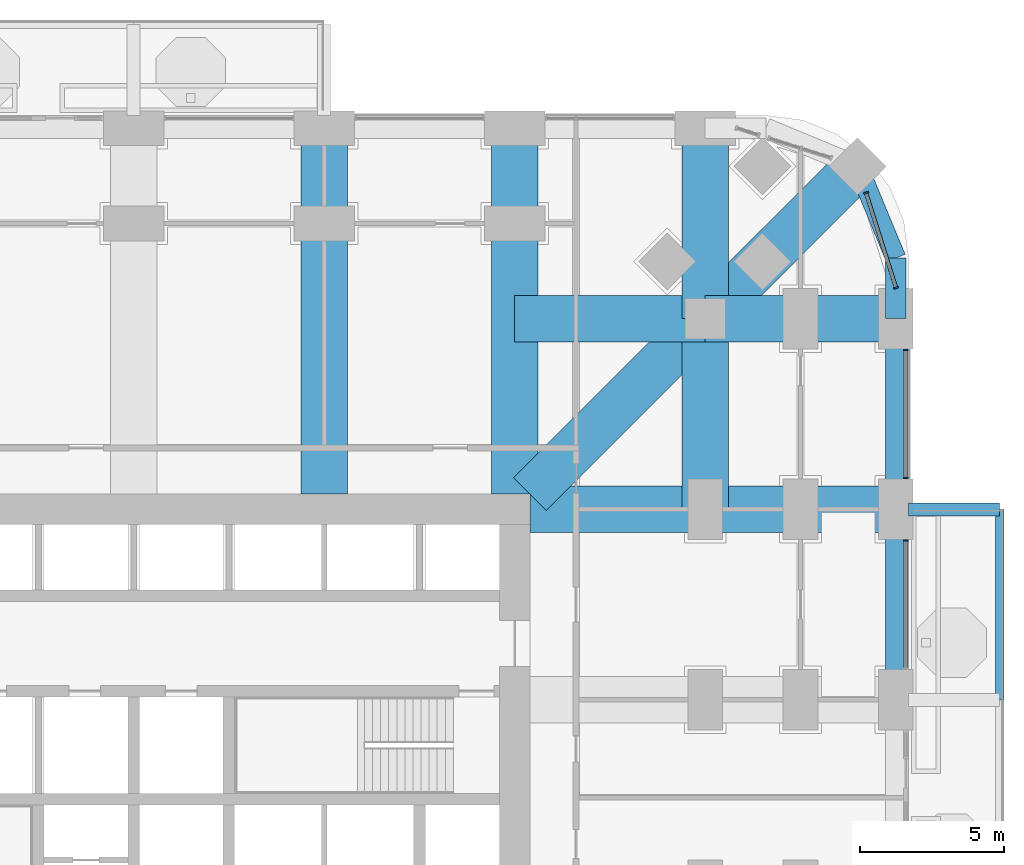
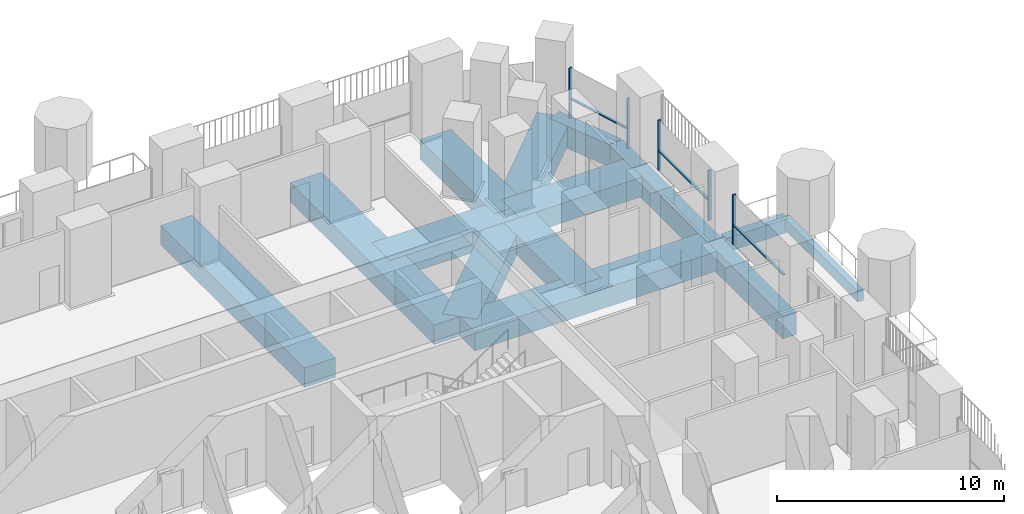
# One storey, part 8 of 26: 15 beams, 8 members, 3 elements without a shape of their own.
"""IFC4 building model written with IfcOpenShell, lengths in metres."""

from ifc_helpers import new_model, si_unit, direction, frame, origin, origin_2d, place, context, subcontext, project, spatial, rectangle, extrude, material, material_profile, profile_set, type_object, element, aggregate, save


model = new_model("IFC4")

# Units and contexts
model_context = context("Model", 3, precision=1e-05, world=origin(), true_north=direction((0.0, 1.0)))
body_context = subcontext(model_context, "Body", "Model", "MODEL_VIEW")
ifc_project = project(units=[si_unit("LENGTHUNIT", "METRE"), si_unit("AREAUNIT", "SQUARE_METRE"), si_unit("VOLUMEUNIT", "CUBIC_METRE"), si_unit("PLANEANGLEUNIT", "RADIAN"), si_unit("MASSUNIT", "GRAM", prefix="KILO")], contexts=[model_context])

# Site, building, storey
site_placement = place(None, origin())
site = spatial("IfcSite", under=ifc_project, at=site_placement, CompositionType="ELEMENT")
building_placement = place(site_placement, origin())
building = spatial("IfcBuilding", under=site, at=building_placement, Name="Cobogo Forest Laboratory Tower", CompositionType="ELEMENT")
storey_placement = place(building_placement, frame((0.0, 0.0, 59.10009765625)))
storey = spatial("IfcBuildingStorey", under=building, at=storey_placement, Name="L13", CompositionType="ELEMENT", Elevation=59.10009765625)

# Beams
ifc_material_1 = material(Name="Concrete HA-40 (C40/50)", Category="concrete")
ifc_material_profile_1 = material_profile(ifc_material_1, rectangle(XDim=0.449951171875, YDim=0.75, at=origin_2d()), Name="RC 450x750")
ifc_profile_set_1 = profile_set([ifc_material_profile_1], Name="Concrete HA-40 (C40/50)")
beam_type_1 = type_object("IfcBeamType", Name="Balcony cantilever beam 450x750", PredefinedType="BEAM", material=ifc_profile_set_1)
beam_1_placement = place(storey_placement, frame((53.25, 33.0, -0.625), z_axis=(1.0, 0.0, 0.0), x_axis=(0.0, 1.0, 0.0)))
element("IfcBeam", 1, at=beam_1_placement, inside=storey, type_object=beam_type_1, Name="CB1 BAL-E1-C3 L13", PredefinedType="BEAM", context=body_context, shape_type="SweptSolid", body=[
    extrude(rectangle(XDim=0.449951171875, YDim=0.75, at=origin_2d()), origin(), (0.0, 0.0, 1.0), 3.14990234375),
])
ifc_material_profile_2 = material_profile(ifc_material_1, rectangle(XDim=0.300048828125, YDim=0.60009765625, at=origin_2d()), Name="RC 300x600")
ifc_profile_set_2 = profile_set([ifc_material_profile_2], Name="Concrete HA-40 (C40/50)")
beam_type_2 = type_object("IfcBeamType", Name="Balcony edge beam 300x600", PredefinedType="BEAM", material=ifc_profile_set_2)
beam_2_placement = place(storey_placement, frame((56.39990234375, 26.39990234375, -0.550048828125), z_axis=(0.0, 1.0, 0.0), x_axis=(-1.0, 0.0, 0.0)))
element("IfcBeam", 2, at=beam_2_placement, inside=storey, type_object=beam_type_2, Name="BB1 BAL-E1-T2 L13", PredefinedType="BEAM", context=body_context, shape_type="SweptSolid", body=[
    extrude(rectangle(XDim=0.300048828125, YDim=0.60009765625, at=origin_2d()), origin(), (0.0, 0.0, 1.0), 6.60009765625),
])
ifc_material_2 = material(Name="Concrete HA-50 (C50/60)", Category="concrete")
ifc_material_profile_3 = material_profile(ifc_material_2, rectangle(XDim=1.60009765625, YDim=1.050048828125, at=origin_2d()), Name="RC 1600x1050")
ifc_profile_set_3 = profile_set([ifc_material_profile_3], Name="Concrete HA-50 (C50/60)")
beam_type_3 = type_object("IfcBeamType", Name="Laboratory floor wide beam 1600x1050", PredefinedType="BEAM", material=ifc_profile_set_3)
for number, where, z_axis, x_axis, name in (
    (3, (33.0, 33.52490234375, -0.8251953125), (0.0, 1.0, 0.0), (-1.0, 0.0, 0.0), "RB8 R-6-N L13"),
    (4, (39.60009765625, 33.52490234375, -0.8251953125), (0.0, 1.0, 0.0), (-1.0, 0.0, 0.0), "RB8 R-7-N L13"),
    (5, (40.125, 33.0, -0.8251953125), (1.0, 0.0, 0.0), (0.0, 1.0, 0.0), "RB8 R-F-E L13"),
):
    element("IfcBeam", number, at=place(storey_placement, frame(where, z_axis=z_axis, x_axis=x_axis)), inside=storey, type_object=beam_type_3, Name=name, PredefinedType="BEAM", context=body_context, shape_type="SweptSolid", body=[
        extrude(rectangle(XDim=1.60009765625, YDim=1.050048828125, at=origin_2d()), origin(), (0.0, 0.0, 1.0), 12.675048828125),
    ])
beam_3_placement = place(storey_placement, frame((46.199951171875, 46.199951171875, -0.8251953125), z_axis=(0.0, -1.0, 0.0), x_axis=(1.0, 0.0, 0.0)))
element("IfcBeam", 6, at=beam_3_placement, inside=storey, type_object=beam_type_3, Name="RB8 G-NE-XF L13", PredefinedType="BEAM", context=body_context, shape_type="SweptSolid", body=[
    extrude(rectangle(XDim=1.60009765625, YDim=1.050048828125, at=origin_2d()), origin(), (0.0, 0.0, 1.0), 6.599853515625),
])
for number, where, z_axis, x_axis, name in (
    (7, (46.199951171875, 39.60009765625, -0.8251953125), (0.0, -1.0, 0.0), (1.0, 0.0, 0.0), "RB8 G-NE-XC L13"),
    (8, (52.800048828125, 39.60009765625, -0.8251953125), (-1.0, 0.0, 0.0), (0.0, -1.0, 0.0), "RB8 G-NE-YF L13"),
):
    element("IfcBeam", number, at=place(storey_placement, frame(where, z_axis=z_axis, x_axis=x_axis)), inside=storey, type_object=beam_type_3, Name=name, PredefinedType="BEAM", context=body_context, shape_type="SweptSolid", body=[
        extrude(rectangle(XDim=1.60009765625, YDim=1.050048828125, at=origin_2d()), origin(), (0.0, 0.0, 1.0), 6.60009765625),
    ])
beam_4_placement = place(storey_placement, frame((46.199951171875, 39.60009765625, -0.8251953125), z_axis=(-1.0, 0.0, 0.0), x_axis=(0.0, -1.0, 0.0)))
element("IfcBeam", 9, at=beam_4_placement, inside=storey, type_object=beam_type_3, Name="RB8 G-NE-YC L13", PredefinedType="BEAM", context=body_context, shape_type="SweptSolid", body=[
    extrude(rectangle(XDim=1.60009765625, YDim=1.050048828125, at=origin_2d()), origin(), (0.0, 0.0, 1.0), 6.599853515625),
])
beam_5_placement = place(storey_placement, frame((51.48193359375, 44.882080078125, -0.8251953125), z_axis=(-0.707106781187, -0.707106781187, 0.0), x_axis=(0.707106781187, -0.707106781187, 0.0)))
element("IfcBeam", 10, at=beam_5_placement, inside=storey, type_object=beam_type_3, Name="RB8 G-NE-D1 L13", PredefinedType="BEAM", context=body_context, shape_type="SweptSolid", body=[
    extrude(rectangle(XDim=1.60009765625, YDim=1.050048828125, at=origin_2d()), origin(), (0.0, 0.0, 1.0), 7.469970703125),
])
beam_6_placement = place(storey_placement, frame((46.199951171875, 39.60009765625, -0.8251953125), z_axis=(-0.707092572697, -0.70712098939, 0.0), x_axis=(0.70712098939, -0.707092572697, 0.0)))
element("IfcBeam", 11, at=beam_6_placement, inside=storey, type_object=beam_type_3, Name="RB8 G-NE-D2 L13", PredefinedType="BEAM", context=body_context, shape_type="SweptSolid", body=[
    extrude(rectangle(XDim=1.60009765625, YDim=1.050048828125, at=origin_2d()), origin(), (0.0, 0.0, 1.0), 8.591552734375),
])

# Curtain wall, member
ifc_material_3 = material(Name="Aluminium curtain wall", Category="aluminium")
curtain_wall_type = type_object("IfcCurtainWallType", Name="CW-1 unitised curtain wall, clear glazing, laboratory floors zones A and B", PredefinedType="USERDEFINED", material=ifc_material_3)
curtain_wall_1_placement = place(storey_placement, origin())
curtain_wall_1 = element("IfcCurtainWall", 12, at=curtain_wall_1_placement, inside=storey, type_object=curtain_wall_type, Name="Curtain wall 13 L13", ObjectType="UNITISED CURTAIN WALL", PredefinedType="USERDEFINED")
ifc_material_4 = material(Name="Aluminium mullion", Category="aluminium")
ifc_material_profile_4 = material_profile(ifc_material_4, rectangle(XDim=0.06005859375, YDim=0.159912109375, at=origin_2d()), Name="AL 60x160")
ifc_profile_set_4 = profile_set([ifc_material_profile_4], Name="Aluminium mullion")
member_type_1 = type_object("IfcMemberType", Name="MU-1 aluminium mullion 60x160", PredefinedType="MULLION", material=ifc_profile_set_4)
member_1_placement = place(storey_placement, frame((53.14990234375, 31.919921875, 0.0), z_axis=(0.0, 0.0, 1.0), x_axis=(0.0, 1.0, 0.0)))
member_1 = element("IfcMember", 13, at=member_1_placement, type_object=member_type_1, Name="CW-1 mullion 2", PredefinedType="MULLION", context=body_context, shape_type="SweptSolid", body=[
    extrude(rectangle(XDim=0.06005859375, YDim=0.159912109375, at=origin_2d()), origin(), (0.0, 0.0, 1.0), 2.699951171875),
])

# Curtain wall, members
curtain_wall_2_placement = place(storey_placement, origin())
curtain_wall_2 = element("IfcCurtainWall", 14, at=curtain_wall_2_placement, inside=storey, type_object=curtain_wall_type, Name="Curtain wall 14 L13", ObjectType="UNITISED CURTAIN WALL", PredefinedType="USERDEFINED")
member_2_placement = place(storey_placement, frame((53.14990234375, 34.080078125, 0.0), z_axis=(0.0, 0.0, 1.0), x_axis=(0.0, 1.0, 0.0)))
member_2 = element("IfcMember", 15, at=member_2_placement, type_object=member_type_1, Name="CW-1 mullion 1", PredefinedType="MULLION", context=body_context, shape_type="SweptSolid", body=[
    extrude(rectangle(XDim=0.06005859375, YDim=0.159912109375, at=origin_2d()), origin(), (0.0, 0.0, 1.0), 2.699951171875),
])
member_3_placement = place(storey_placement, frame((53.14990234375, 38.52001953125, 0.0), z_axis=(0.0, 0.0, 1.0), x_axis=(0.0, 1.0, 0.0)))
member_3 = element("IfcMember", 16, at=member_3_placement, type_object=member_type_1, Name="CW-1 mullion 2", PredefinedType="MULLION", context=body_context, shape_type="SweptSolid", body=[
    extrude(rectangle(XDim=0.06005859375, YDim=0.159912109375, at=origin_2d()), origin(), (0.0, 0.0, 1.0), 2.699951171875),
])

curtain_wall_3_placement = place(storey_placement, origin())
curtain_wall_3 = element("IfcCurtainWall", 17, at=curtain_wall_3_placement, inside=storey, type_object=curtain_wall_type, Name="Curtain wall 15 L13", ObjectType="UNITISED CURTAIN WALL", PredefinedType="USERDEFINED")
member_4_placement = place(storey_placement, frame((52.809326171875, 40.6787109375, 0.0), z_axis=(0.0, 0.0, 1.0), x_axis=(-0.30113535792, 0.95358140513, 0.0)))
member_4 = element("IfcMember", 18, at=member_4_placement, type_object=member_type_1, Name="CW-1 mullion 1", PredefinedType="MULLION", context=body_context, shape_type="SweptSolid", body=[
    extrude(rectangle(XDim=0.06005859375, YDim=0.159912109375, at=origin_2d()), origin(), (0.0, 0.0, 1.0), 2.699951171875),
])
member_5_placement = place(storey_placement, frame((51.772705078125, 43.961181640625, 0.0), z_axis=(0.0, 0.0, 1.0), x_axis=(-0.30113535792, 0.95358140513, 0.0)))
member_5 = element("IfcMember", 19, at=member_5_placement, type_object=member_type_1, Name="CW-1 mullion 2", PredefinedType="MULLION", context=body_context, shape_type="SweptSolid", body=[
    extrude(rectangle(XDim=0.06005859375, YDim=0.159912109375, at=origin_2d()), origin(), (0.0, 0.0, 1.0), 2.699951171875),
])

# Beams
ifc_material_profile_5 = material_profile(ifc_material_1, rectangle(XDim=0.699951171875, YDim=1.199951171875, at=origin_2d()), Name="RC 700x1200")
ifc_profile_set_5 = profile_set([ifc_material_profile_5], Name="Concrete HA-40 (C40/50)")
beam_type_4 = type_object("IfcBeamType", Name="Perimeter edge beam 700x1200", PredefinedType="BEAM", material=ifc_profile_set_5)
for number, where, z_axis, x_axis, name in (
    (20, (52.800048828125, 26.39990234375, -0.900146484375), (0.0, 1.0, 0.0), (-1.0, 0.0, 0.0), "EB1 E-E4 L13"),
    (21, (52.800048828125, 33.0, -0.900146484375), (0.0, 1.0, 0.0), (-1.0, 0.0, 0.0), "EB1 E-E5 L13"),
):
    element("IfcBeam", number, at=place(storey_placement, frame(where, z_axis=z_axis, x_axis=x_axis)), inside=storey, type_object=beam_type_4, Name=name, PredefinedType="BEAM", context=body_context, shape_type="SweptSolid", body=[
        extrude(rectangle(XDim=0.699951171875, YDim=1.199951171875, at=origin_2d()), origin(), (0.0, 0.0, 1.0), 6.60009765625),
    ])
beam_7_placement = place(storey_placement, frame((52.800048828125, 39.60009765625, -0.900146484375), z_axis=(0.0, 1.0, 0.0), x_axis=(-1.0, 0.0, 0.0)))
element("IfcBeam", 22, at=beam_7_placement, inside=storey, type_object=beam_type_4, Name="EB1 E-NEE1 L13", PredefinedType="BEAM", context=body_context, shape_type="SweptSolid", body=[
    extrude(rectangle(XDim=0.699951171875, YDim=1.199951171875, at=origin_2d()), origin(), (0.0, 0.0, 1.0), 2.099853515625),
])
beam_8_placement = place(storey_placement, frame((52.800048828125, 41.699951171875, -0.900146484375), z_axis=(-0.382691928466, 0.923876013265, 0.0), x_axis=(-0.923876013265, -0.382691928466, 0.0)))
element("IfcBeam", 23, at=beam_8_placement, inside=storey, type_object=beam_type_4, Name="EB1 E-NEE2 L13", PredefinedType="BEAM", context=body_context, shape_type="SweptSolid", body=[
    extrude(rectangle(XDim=0.699951171875, YDim=1.199951171875, at=origin_2d()), origin(), (0.0, 0.0, 1.0), 3.4443359375),
])

# Member
ifc_material_5 = material(Name="Aluminium transom", Category="aluminium")
ifc_material_profile_6 = material_profile(ifc_material_5, rectangle(XDim=0.1201171875, YDim=0.06005859375, at=origin_2d()), Name="AL 60x120")
ifc_profile_set_6 = profile_set([ifc_material_profile_6], Name="Aluminium transom")
member_type_2 = type_object("IfcMemberType", Name="TR-1 aluminium transom 60x120", PredefinedType="USERDEFINED", material=ifc_profile_set_6)
member_6_placement = place(storey_placement, frame((53.14990234375, 27.510009765625, 1.0498046875), z_axis=(0.0, 1.0, 0.0), x_axis=(-1.0, 0.0, 0.0)))
member_6 = element("IfcMember", 24, at=member_6_placement, type_object=member_type_2, Name="CW-1 transom 1.1", ObjectType="TRANSOM", PredefinedType="USERDEFINED", context=body_context, shape_type="SweptSolid", body=[
    extrude(rectangle(XDim=0.1201171875, YDim=0.06005859375, at=origin_2d()), origin(), (0.0, 0.0, 1.0), 4.3798828125),
])

aggregate(curtain_wall_1, [member_1, member_6])

member_7_placement = place(storey_placement, frame((53.14990234375, 34.110107421875, 1.0498046875), z_axis=(0.0, 1.0, 0.0), x_axis=(-1.0, 0.0, 0.0)))
member_7 = element("IfcMember", 25, at=member_7_placement, type_object=member_type_2, Name="CW-1 transom 1.1", ObjectType="TRANSOM", PredefinedType="USERDEFINED", context=body_context, shape_type="SweptSolid", body=[
    extrude(rectangle(XDim=0.1201171875, YDim=0.06005859375, at=origin_2d()), origin(), (0.0, 0.0, 1.0), 4.3798828125),
])

aggregate(curtain_wall_2, [member_2, member_3, member_7])

member_8_placement = place(storey_placement, frame((52.80029296875, 40.707275390625, 1.0498046875), z_axis=(-0.301138276922, 0.953580483322, 0.0), x_axis=(-0.953580483322, -0.301138276922, 0.0)))
member_8 = element("IfcMember", 26, at=member_8_placement, type_object=member_type_2, Name="CW-1 transom 1.1", ObjectType="TRANSOM", PredefinedType="USERDEFINED", context=body_context, shape_type="SweptSolid", body=[
    extrude(rectangle(XDim=0.1201171875, YDim=0.06005859375, at=origin_2d()), origin(), (0.0, 0.0, 1.0), 3.38232421875),
])

aggregate(curtain_wall_3, [member_4, member_5, member_8])

save(model, "model.ifc")
